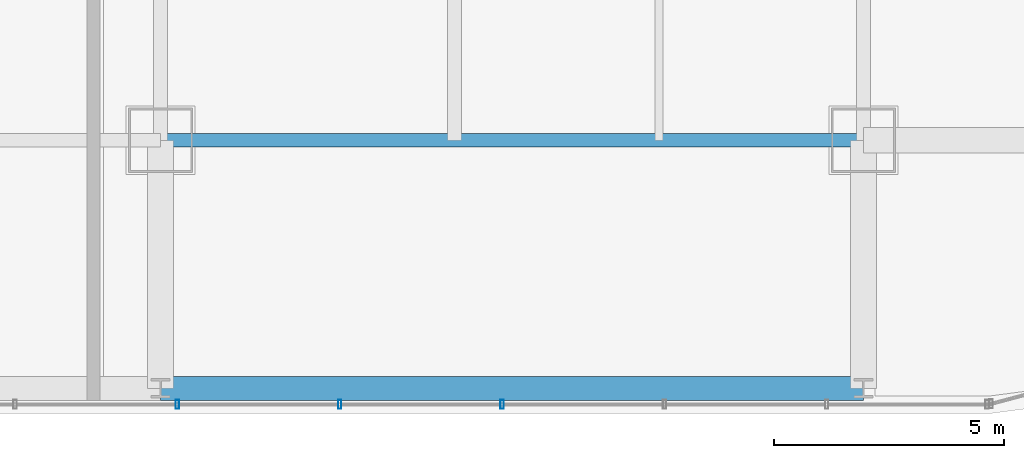
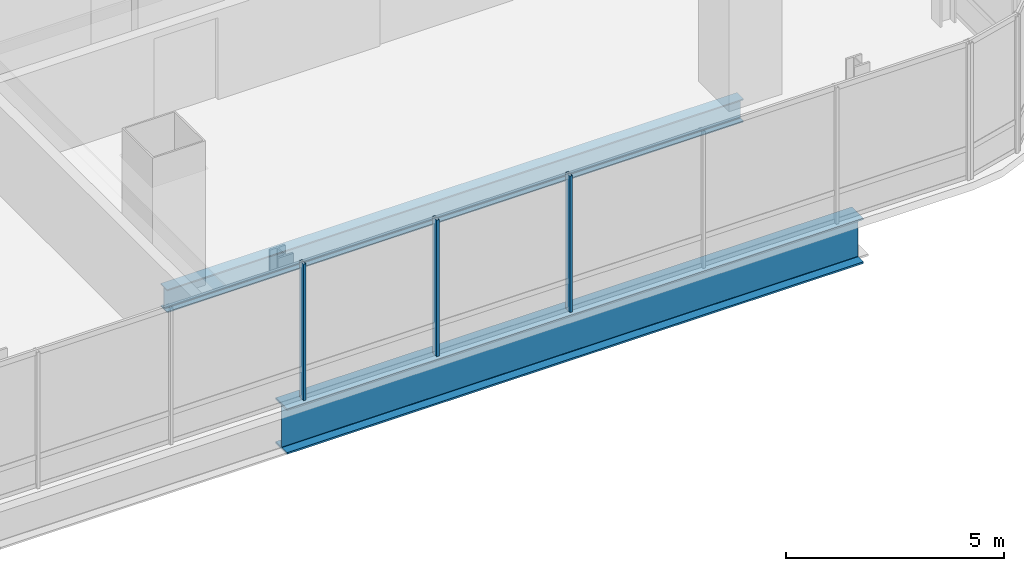
# One storey, part 7 of 35: 3 members, 2 beams, 1 element without a shape of its own.
"""IFC4 building model written with IfcOpenShell, lengths in metres."""

from ifc_helpers import new_model, si_unit, direction, frame, origin, origin_2d, place, context, subcontext, project, spatial, hollow_rectangle, i_section, extrude, material, material_profile, profile_set, type_object, element, aggregate, save


model = new_model("IFC4")

# Units and contexts
model_context = context("Model", 3, precision=1e-05, world=origin(), true_north=direction((0.0, 1.0)))
body_context = subcontext(model_context, "Body", "Model", "MODEL_VIEW")
ifc_project = project(units=[si_unit("LENGTHUNIT", "METRE"), si_unit("AREAUNIT", "SQUARE_METRE"), si_unit("VOLUMEUNIT", "CUBIC_METRE"), si_unit("PLANEANGLEUNIT", "RADIAN"), si_unit("MASSUNIT", "GRAM", prefix="KILO")], contexts=[model_context])

# Site, building, storey
site_placement = place(None, origin())
site = spatial("IfcSite", under=ifc_project, at=site_placement, CompositionType="ELEMENT")
building_placement = place(site_placement, origin())
building = spatial("IfcBuilding", under=site, at=building_placement, Name="Punatoya Terracotta Tower", CompositionType="ELEMENT")
storey_placement = place(building_placement, frame((0.0, 0.0, 216.75)))
storey = spatial("IfcBuildingStorey", under=building, at=storey_placement, Name="L51", CompositionType="ELEMENT", Elevation=216.75)

# Beams
ifc_material_1 = material(Name="Steel S355", Category="steel")
ifc_material_profile_1 = material_profile(ifc_material_1, i_section(OverallWidth=0.300048828125, OverallDepth=0.64990234375, WebThickness=0.01611328125, FlangeThickness=0.031005859375, FilletRadius=0.01806640625, at=origin_2d()))
ifc_profile_set_1 = profile_set([ifc_material_profile_1], Name="Steel S355")
beam_type_1 = type_object("IfcBeamType", Name="BM-PRI-650", PredefinedType="BEAM", material=ifc_profile_set_1)
beam_1_placement = place(storey_placement, frame((3.800048828125, -17.5, -0.544921875), z_axis=(1.0, 0.0, 0.0), x_axis=(0.0, 1.0, 0.0)))
element("IfcBeam", 1, at=beam_1_placement, inside=storey, type_object=beam_type_1, Name="BM-L51-RG-S3", PredefinedType="BEAM", context=body_context, shape_type="SweptSolid", body=[
    extrude(i_section(OverallWidth=0.300048828125, OverallDepth=0.64990234375, WebThickness=0.01611328125, FlangeThickness=0.031005859375, FilletRadius=0.01806640625, at=origin_2d()), origin(), (0.0, 0.0, 1.0), 15.300048828125),
])
ifc_material_2 = material(Name="Steel S460", Category="steel")
ifc_material_profile_2 = material_profile(ifc_material_2, i_section(OverallWidth=0.52001953125, OverallDepth=1.280029296875, WebThickness=0.031982421875, FlangeThickness=0.050048828125, FilletRadius=0.01806640625, at=origin_2d()))
ifc_profile_set_2 = profile_set([ifc_material_profile_2], Name="Steel S460")
beam_type_2 = type_object("IfcBeamType", Name="BM-TG-NCK", PredefinedType="BEAM", material=ifc_profile_set_2)
beam_2_placement = place(storey_placement, frame((3.800048828125, -22.89990234375, -0.860107421875), z_axis=(1.0, 0.0, 0.0), x_axis=(0.0, 1.0, 0.0)))
element("IfcBeam", 2, at=beam_2_placement, inside=storey, type_object=beam_type_2, Name="BM-L51-PER-S3", PredefinedType="BEAM", context=body_context, shape_type="SweptSolid", body=[
    extrude(i_section(OverallWidth=0.52001953125, OverallDepth=1.280029296875, WebThickness=0.031982421875, FlangeThickness=0.050048828125, FilletRadius=0.01806640625, at=origin_2d()), origin(), (0.0, 0.0, 1.0), 15.300048828125),
])

# Curtain wall, members
ifc_material_3 = material(Name="Aluminium 6063-T6 + Double Low-E Glass", Category="aluminium")
curtain_wall_type = type_object("IfcCurtainWallType", Name="CW-M2", PredefinedType="NOTDEFINED", material=ifc_material_3)
curtain_wall_placement = place(storey_placement, origin())
curtain_wall = element("IfcCurtainWall", 3, at=curtain_wall_placement, inside=storey, type_object=curtain_wall_type, Name="L51 Curtain Wall CW-L51-S01-1", PredefinedType="NOTDEFINED")
ifc_material_4 = material(Name="Aluminium 6063-T6", Category="aluminium")
ifc_material_profile_3 = material_profile(ifc_material_4, hollow_rectangle(XDim=0.072021484375, YDim=0.195068359375, WallThickness=0.00439453125, at=origin_2d()))
ifc_profile_set_3 = profile_set([ifc_material_profile_3], Name="Aluminium 6063-T6")
member_type = type_object("IfcMemberType", Name="CW-MUL-M2", PredefinedType="MULLION", material=ifc_profile_set_3)
member_1_placement = place(storey_placement, frame((4.1669921875, -23.25, 0.0), z_axis=(0.0, 0.0, 1.0), x_axis=(1.0, 0.0, 0.0)))
member_1 = element("IfcMember", 4, at=member_1_placement, type_object=member_type, Name="CW-L51-S01-1 Mullion 06", PredefinedType="MULLION", context=body_context, shape_type="SweptSolid", body=[
    extrude(hollow_rectangle(XDim=0.072021484375, YDim=0.195068359375, WallThickness=0.00439453125, at=origin_2d()), origin(), (0.0, 0.0, 1.0), 3.830078125),
])
member_2_placement = place(storey_placement, frame((7.700927734375, -23.25, 0.0), z_axis=(0.0, 0.0, 1.0), x_axis=(1.0, 0.0, 0.0)))
member_2 = element("IfcMember", 5, at=member_2_placement, type_object=member_type, Name="CW-L51-S01-1 Mullion 07", PredefinedType="MULLION", context=body_context, shape_type="SweptSolid", body=[
    extrude(hollow_rectangle(XDim=0.072021484375, YDim=0.195068359375, WallThickness=0.00439453125, at=origin_2d()), origin(), (0.0, 0.0, 1.0), 3.830078125),
])
member_3_placement = place(storey_placement, frame((11.235107421875, -23.25, 0.0), z_axis=(0.0, 0.0, 1.0), x_axis=(1.0, 0.0, 0.0)))
member_3 = element("IfcMember", 6, at=member_3_placement, type_object=member_type, Name="CW-L51-S01-1 Mullion 08", PredefinedType="MULLION", context=body_context, shape_type="SweptSolid", body=[
    extrude(hollow_rectangle(XDim=0.072021484375, YDim=0.195068359375, WallThickness=0.00439453125, at=origin_2d()), origin(), (0.0, 0.0, 1.0), 3.830078125),
])
aggregate(curtain_wall, [member_1, member_2, member_3])

save(model, "model.ifc")
